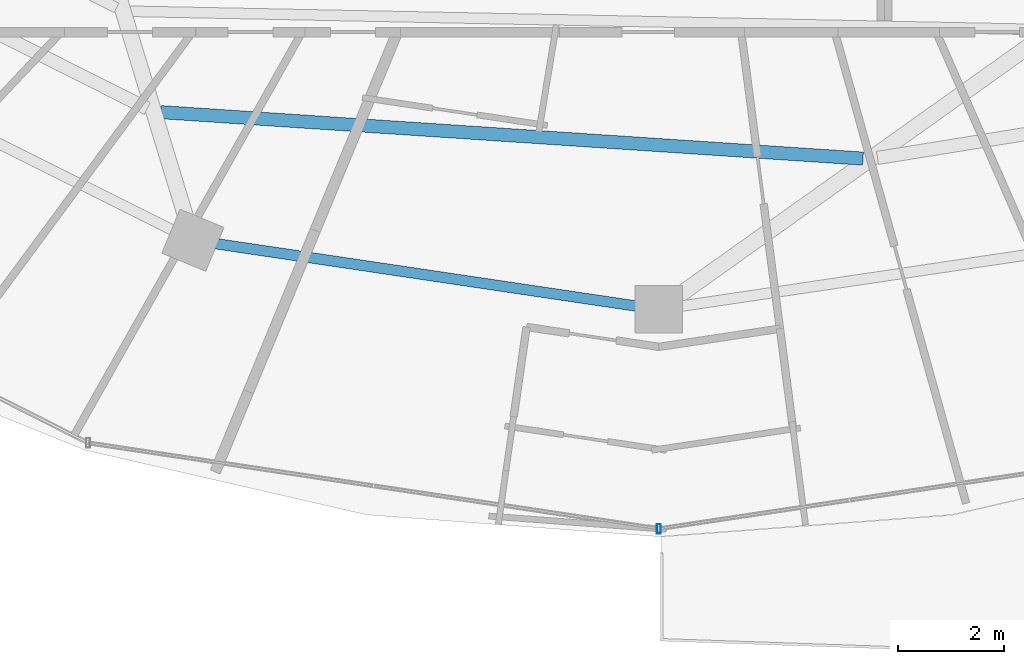
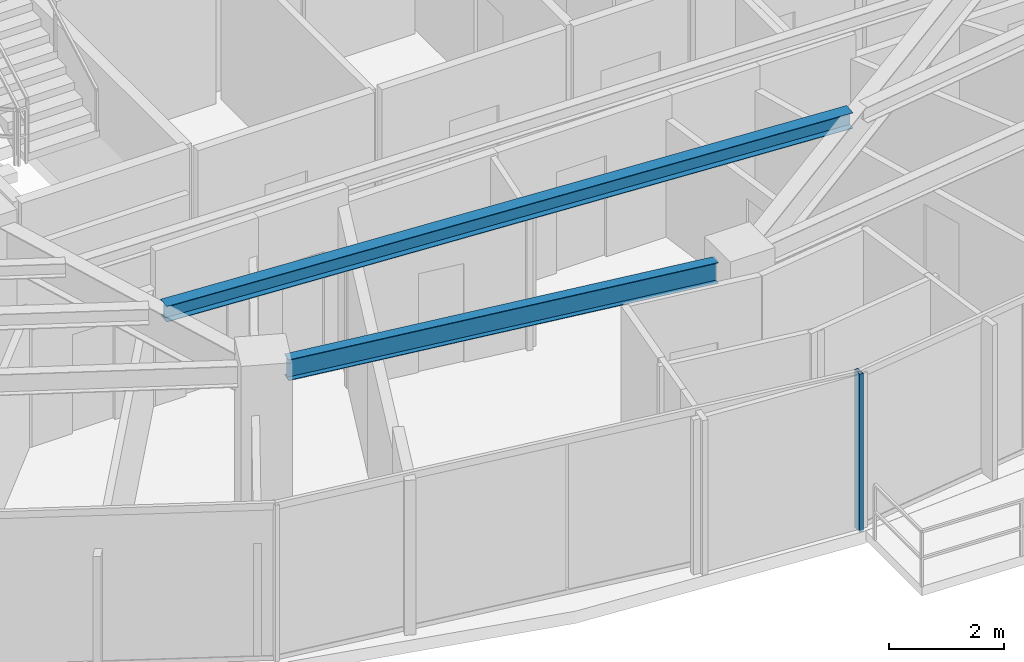
# One storey, part 5 of 34: 2 beams, 1 member, 1 element without a shape of its own.
"""IFC4 building model written with IfcOpenShell, lengths in metres."""

from ifc_helpers import new_model, si_unit, direction, frame, origin, origin_2d, place, context, subcontext, project, spatial, hollow_rectangle, i_section, extrude, material, material_profile, profile_set, type_object, element, aggregate, save


model = new_model("IFC4")

# Units and contexts
model_context = context("Model", 3, precision=1e-05, world=origin(), true_north=direction((0.0, 1.0)))
body_context = subcontext(model_context, "Body", "Model", "MODEL_VIEW")
ifc_project = project(units=[si_unit("LENGTHUNIT", "METRE"), si_unit("AREAUNIT", "SQUARE_METRE"), si_unit("VOLUMEUNIT", "CUBIC_METRE"), si_unit("PLANEANGLEUNIT", "RADIAN"), si_unit("MASSUNIT", "GRAM", prefix="KILO")], contexts=[model_context])

# Site, building, storey
site_placement = place(None, origin())
site = spatial("IfcSite", under=ifc_project, at=site_placement, CompositionType="ELEMENT")
building_placement = place(site_placement, origin())
building = spatial("IfcBuilding", under=site, at=building_placement, Name="Vorneva Point Tower", CompositionType="ELEMENT")
storey_placement = place(building_placement, frame((0.0, 0.0, 214.300048828125)))
storey = spatial("IfcBuildingStorey", under=building, at=storey_placement, Name="L58", CompositionType="ELEMENT", Elevation=214.300048828125)

# Beams
ifc_material_1 = material(Name="Steel S355", Category="steel")
ifc_material_profile_1 = material_profile(ifc_material_1, i_section(OverallWidth=0.2490234375, OverallDepth=0.333984375, WebThickness=0.008056640625, FlangeThickness=0.010986328125, at=origin_2d()), Name="35Sh1")
ifc_profile_set_1 = profile_set([ifc_material_profile_1], Name="Steel S355")
beam_type_1 = type_object("IfcBeamType", Name="BM-SEC-35Sh1", PredefinedType="BEAM", material=ifc_profile_set_1)
beam_1_placement = place(storey_placement, frame((28.576416015625, 12.533935546875, 3.123046875), z_axis=(0.997817414317, -0.066033383117, 0.0), x_axis=(0.066033383117, 0.997817414317, 0.0)))
element("IfcBeam", 1, at=beam_1_placement, inside=storey, type_object=beam_type_1, Name="L58 Secondary Floor Beam 1.12", PredefinedType="BEAM", context=body_context, shape_type="SweptSolid", body=[
    extrude(i_section(OverallWidth=0.2490234375, OverallDepth=0.333984375, WebThickness=0.008056640625, FlangeThickness=0.010986328125, at=origin_2d()), origin(), (0.0, 0.0, 1.0), 13.313720703125),
])
ifc_material_profile_2 = material_profile(ifc_material_1, i_section(OverallWidth=0.198974609375, OverallDepth=0.446044921875, WebThickness=0.008056640625, FlangeThickness=0.011962890625, at=origin_2d()), Name="45B1")
ifc_profile_set_2 = profile_set([ifc_material_profile_2], Name="Steel S355")
beam_type_2 = type_object("IfcBeamType", Name="BM-SPN-45B1", PredefinedType="SPANDREL", material=ifc_profile_set_2)
beam_2_placement = place(storey_placement, frame((29.609375, 10.04541015625, 3.06689453125), z_axis=(0.989165476332, -0.146804837907, 0.0), x_axis=(0.146804837907, 0.989165476332, 0.0)))
element("IfcBeam", 2, at=beam_2_placement, inside=storey, type_object=beam_type_2, Name="L58 Perimeter Spandrel Ring Beam 12", PredefinedType="SPANDREL", context=body_context, shape_type="SweptSolid", body=[
    extrude(i_section(OverallWidth=0.198974609375, OverallDepth=0.446044921875, WebThickness=0.008056640625, FlangeThickness=0.011962890625, at=origin_2d()), origin(), (0.0, 0.0, 1.0), 8.04736328125),
])

# Curtain wall, member
ifc_material_2 = material(Name="Pale anodised aluminium", Category="aluminium")
curtain_wall_type = type_object("IfcCurtainWallType", Name="CW-RES-SYS", PredefinedType="NOTDEFINED", material=ifc_material_2)
curtain_wall_placement = place(storey_placement, origin())
curtain_wall = element("IfcCurtainWall", 3, at=curtain_wall_placement, inside=storey, type_object=curtain_wall_type, Name="L58 Unitised Curtain Wall CW-L58-R04", PredefinedType="NOTDEFINED")
ifc_material_profile_3 = material_profile(ifc_material_2, hollow_rectangle(XDim=0.074951171875, YDim=0.179931640625, WallThickness=0.00390625, at=origin_2d()), Name="AL-MUL 180x75x4")
ifc_profile_set_3 = profile_set([ifc_material_profile_3], Name="Pale anodised aluminium")
member_type = type_object("IfcMemberType", Name="CW-MUL-180", PredefinedType="MULLION", material=ifc_profile_set_3)
member_placement = place(storey_placement, frame((38.0, 4.64990234375, -0.0400390625), z_axis=(0.0, 0.0, 1.0), x_axis=(1.0, 0.0, 0.0)))
member = element("IfcMember", 4, at=member_placement, type_object=member_type, Name="CW-L58-R04 Mullion 03", PredefinedType="MULLION", context=body_context, shape_type="SweptSolid", body=[
    extrude(hollow_rectangle(XDim=0.074951171875, YDim=0.179931640625, WallThickness=0.00390625, at=origin_2d()), origin(), (0.0, 0.0, 1.0), 3.360107421875),
])
aggregate(curtain_wall, [member])

save(model, "model.ifc")
